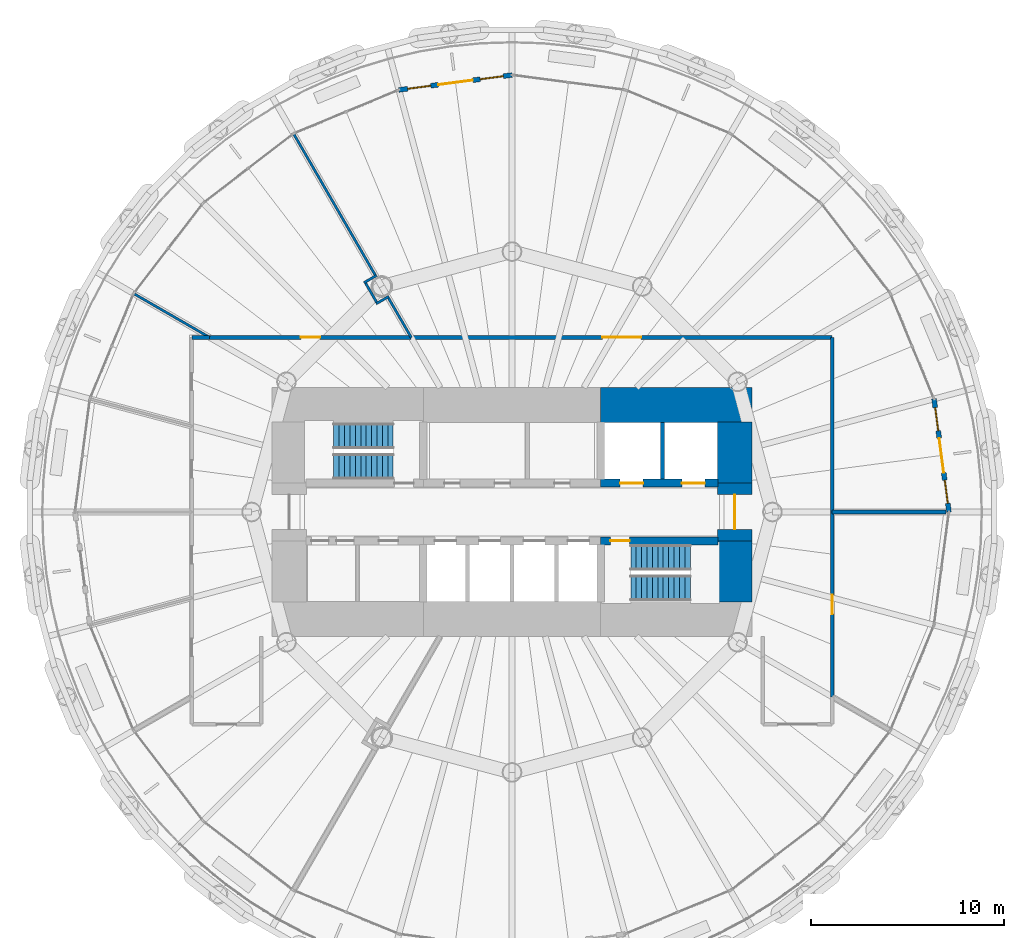
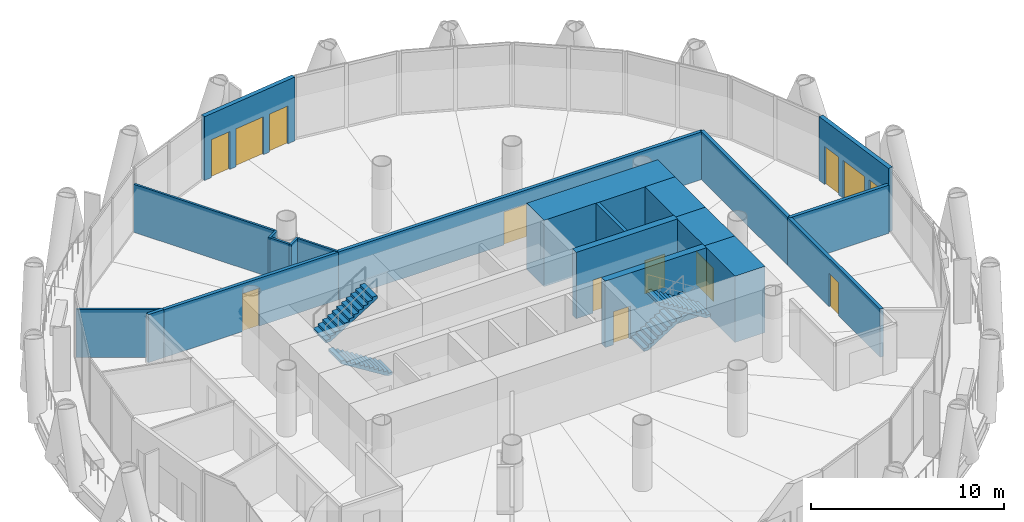
# One storey, part 11 of 15: 21 walls, 9 doors, 4 stair flights, 4 windows, 13 openings, 2 elements without a shape of their own.
"""IFC4 building model written with IfcOpenShell, lengths in metres."""

from ifc_helpers import new_model, si_unit, direction, frame, frame_2d, origin, place, context, subcontext, project, spatial, polyline, rectangle, outline, extrude, material, layer, layer_set, type_object, element, fill, aggregate, save


model = new_model("IFC4")

# Units and contexts
model_context = context("Model", 3, precision=1e-05, world=origin(), true_north=direction((0.0, 1.0)))
body_context = subcontext(model_context, "Body", "Model", "MODEL_VIEW")
ifc_project = project(units=[si_unit("LENGTHUNIT", "METRE"), si_unit("AREAUNIT", "SQUARE_METRE"), si_unit("VOLUMEUNIT", "CUBIC_METRE"), si_unit("PLANEANGLEUNIT", "RADIAN"), si_unit("MASSUNIT", "GRAM", prefix="KILO")], contexts=[model_context])

# Site, building, storey
site_placement = place(None, origin())
site = spatial("IfcSite", under=ifc_project, at=site_placement, CompositionType="ELEMENT")
building_placement = place(site_placement, origin())
building = spatial("IfcBuilding", under=site, at=building_placement, Name="Qaws Media Tower", CompositionType="ELEMENT")
storey_placement = place(building_placement, frame((0.0, 0.0, 131.0)))
storey = spatial("IfcBuildingStorey", under=building, at=storey_placement, Name="L29", CompositionType="ELEMENT", Elevation=131.0)

# Wall, openings, door, windows
ifc_material_1 = material(Name="Precast concrete, exposed finish", Category="concrete")
ifc_layer_1 = layer(ifc_material_1, 0.25)
ifc_layer_set_1 = layer_set([ifc_layer_1], Name="Balcony door wall 250")
wall_type_1 = type_object("IfcWallType", Name="Balcony door wall 250", PredefinedType="SOLIDWALL", material=ifc_layer_set_1)
wall_1_placement = place(storey_placement, frame((82.64990234375, 50.0, 0.0), z_axis=(0.0, 0.0, 1.0), x_axis=(-0.130516460787, 0.991446142493, 0.0)))
wall_1 = element("IfcWall", 1, at=wall_1_placement, inside=storey, type_object=wall_type_1, Name="W185 EW1 balcony door wall L29-01", PredefinedType="SOLIDWALL", context=body_context, shape_type="SweptSolid", body=[
    extrude(rectangle(XDim=5.912841796875, YDim=0.25, at=frame_2d((2.95654296875, 0.0))), origin(), (0.0, 0.0, 1.0), 4.0400390625),
])
opening_1_placement = place(wall_1_placement, frame((2.056396484375, 0.0, 0.0)))
opening_1 = element("IfcOpeningElement", 2, at=opening_1_placement, cuts=wall_1, Name="Opening D7", PredefinedType="OPENING", context=body_context, shape_type="SweptSolid", body=[
    extrude(rectangle(XDim=1.800048828125, YDim=2.39990234375, at=frame_2d((0.89990234375, 1.199951171875))), frame((0.0, 0.135009765625, 0.0), z_axis=(0.0, -1.0, 0.0), x_axis=(1.0, 0.0, 0.0)), (0.0, 0.0, 1.0), 0.27001953125),
])
opening_2_placement = place(wall_1_placement, frame((0.456298828125, 0.0, 0.0)))
opening_2 = element("IfcOpeningElement", 3, at=opening_2_placement, cuts=wall_1, Name="Opening W1", PredefinedType="OPENING", context=body_context, shape_type="SweptSolid", body=[
    extrude(rectangle(XDim=1.199951171875, YDim=2.39990234375, at=frame_2d((0.60009765625, 1.199951171875))), frame((0.0, 0.135009765625, 0.0), z_axis=(0.0, -1.0, 0.0), x_axis=(1.0, 0.0, 0.0)), (0.0, 0.0, 1.0), 0.27001953125),
])
opening_3_placement = place(wall_1_placement, frame((4.25634765625, 0.0, 0.0)))
opening_3 = element("IfcOpeningElement", 4, at=opening_3_placement, cuts=wall_1, Name="Opening W1", PredefinedType="OPENING", context=body_context, shape_type="SweptSolid", body=[
    extrude(rectangle(XDim=1.199951171875, YDim=2.39990234375, at=frame_2d((0.60009765625, 1.199951171875))), frame((0.0, 0.135009765625, 0.0), z_axis=(0.0, -1.0, 0.0), x_axis=(1.0, 0.0, 0.0)), (0.0, 0.0, 1.0), 0.27001953125),
])
ifc_material_2 = material(Name="Aluminium and clear glass", Category="aluminium")
door_type_1 = type_object("IfcDoorType", Name="Balcony door pair 1800", OperationType="DOUBLE_DOOR_SLIDING", PredefinedType="DOOR", material=ifc_material_2)
door_1_placement = place(opening_1_placement, origin())
door_1 = element("IfcDoor", 5, at=door_1_placement, inside=storey, type_object=door_type_1, Name="D7 balcony door L29-01 in wall W185", OperationType="DOUBLE_DOOR_SLIDING", OverallHeight=2.39990234375, OverallWidth=1.800048828125, PredefinedType="DOOR", context=body_context, shape_type="SweptSolid", body=[
    extrude(rectangle(XDim=1.800048828125, YDim=2.39990234375, at=frame_2d((0.89990234375, 1.199951171875))), frame((0.0, 0.02490234375, 0.0), z_axis=(0.0, -1.0, 0.0), x_axis=(1.0, 0.0, 0.0)), (0.0, 0.0, 1.0), 0.050048828125),
])
fill(opening_1, door_1)
ifc_material_3 = material(Name="Aluminium and clear glass", Category="aluminium")
window_type = type_object("IfcWindowType", Name="Balcony side window 1200", PartitioningType="SINGLE_PANEL", PredefinedType="WINDOW", material=ifc_material_3)
window_1_placement = place(opening_2_placement, origin())
window_1 = element("IfcWindow", 6, at=window_1_placement, inside=storey, type_object=window_type, Name="W1 balcony side light L29-01L", OverallHeight=2.39990234375, OverallWidth=1.199951171875, PartitioningType="SINGLE_PANEL", PredefinedType="WINDOW", context=body_context, shape_type="SweptSolid", body=[
    extrude(rectangle(XDim=1.199951171875, YDim=2.39990234375, at=frame_2d((0.60009765625, 1.199951171875))), frame((0.0, 0.030029296875, 0.0), z_axis=(0.0, -1.0, 0.0), x_axis=(1.0, 0.0, 0.0)), (0.0, 0.0, 1.0), 0.06005859375),
])
fill(opening_2, window_1)
window_2_placement = place(opening_3_placement, origin())
window_2 = element("IfcWindow", 7, at=window_2_placement, inside=storey, type_object=window_type, Name="W1 balcony side light L29-01R", OverallHeight=2.39990234375, OverallWidth=1.199951171875, PartitioningType="SINGLE_PANEL", PredefinedType="WINDOW", context=body_context, shape_type="SweptSolid", body=[
    extrude(rectangle(XDim=1.199951171875, YDim=2.39990234375, at=frame_2d((0.60009765625, 1.199951171875))), frame((0.0, 0.030029296875, 0.0), z_axis=(0.0, -1.0, 0.0), x_axis=(1.0, 0.0, 0.0)), (0.0, 0.0, 1.0), 0.06005859375),
])
fill(opening_3, window_2)

wall_2_placement = place(storey_placement, frame((60.0, 72.64990234375, 0.0), z_axis=(0.0, 0.0, 1.0), x_axis=(-0.991446142493, -0.130516460787, 0.0)))
wall_2 = element("IfcWall", 8, at=wall_2_placement, inside=storey, type_object=wall_type_1, Name="W184 EW1 balcony door wall L29-07", PredefinedType="SOLIDWALL", context=body_context, shape_type="SweptSolid", body=[
    extrude(rectangle(XDim=5.912841796875, YDim=0.25, at=frame_2d((2.95654296875, 0.0))), origin(), (0.0, 0.0, 1.0), 4.0400390625),
])
opening_4_placement = place(wall_2_placement, frame((2.056396484375, 0.0, 0.0)))
opening_4 = element("IfcOpeningElement", 9, at=opening_4_placement, cuts=wall_2, Name="Opening D7", PredefinedType="OPENING", context=body_context, shape_type="SweptSolid", body=[
    extrude(rectangle(XDim=1.800048828125, YDim=2.39990234375, at=frame_2d((0.89990234375, 1.199951171875))), frame((0.0, 0.135009765625, 0.0), z_axis=(0.0, -1.0, 0.0), x_axis=(1.0, 0.0, 0.0)), (0.0, 0.0, 1.0), 0.27001953125),
])
opening_5_placement = place(wall_2_placement, frame((0.456298828125, 0.0, 0.0)))
opening_5 = element("IfcOpeningElement", 10, at=opening_5_placement, cuts=wall_2, Name="Opening W1", PredefinedType="OPENING", context=body_context, shape_type="SweptSolid", body=[
    extrude(rectangle(XDim=1.199951171875, YDim=2.39990234375, at=frame_2d((0.60009765625, 1.199951171875))), frame((0.0, 0.135009765625, 0.0), z_axis=(0.0, -1.0, 0.0), x_axis=(1.0, 0.0, 0.0)), (0.0, 0.0, 1.0), 0.27001953125),
])
opening_6_placement = place(wall_2_placement, frame((4.25634765625, 0.0, 0.0)))
opening_6 = element("IfcOpeningElement", 11, at=opening_6_placement, cuts=wall_2, Name="Opening W1", PredefinedType="OPENING", context=body_context, shape_type="SweptSolid", body=[
    extrude(rectangle(XDim=1.199951171875, YDim=2.39990234375, at=frame_2d((0.60009765625, 1.199951171875))), frame((0.0, 0.135009765625, 0.0), z_axis=(0.0, -1.0, 0.0), x_axis=(1.0, 0.0, 0.0)), (0.0, 0.0, 1.0), 0.27001953125),
])
door_2_placement = place(opening_4_placement, origin())
door_2 = element("IfcDoor", 12, at=door_2_placement, inside=storey, type_object=door_type_1, Name="D7 balcony door L29-07 in wall W184", OperationType="DOUBLE_DOOR_SLIDING", OverallHeight=2.39990234375, OverallWidth=1.800048828125, PredefinedType="DOOR", context=body_context, shape_type="SweptSolid", body=[
    extrude(rectangle(XDim=1.800048828125, YDim=2.39990234375, at=frame_2d((0.89990234375, 1.199951171875))), frame((0.0, 0.02490234375, 0.0), z_axis=(0.0, -1.0, 0.0), x_axis=(1.0, 0.0, 0.0)), (0.0, 0.0, 1.0), 0.050048828125),
])
fill(opening_4, door_2)
window_3_placement = place(opening_5_placement, origin())
window_3 = element("IfcWindow", 13, at=window_3_placement, inside=storey, type_object=window_type, Name="W1 balcony side light L29-07L", OverallHeight=2.39990234375, OverallWidth=1.199951171875, PartitioningType="SINGLE_PANEL", PredefinedType="WINDOW", context=body_context, shape_type="SweptSolid", body=[
    extrude(rectangle(XDim=1.199951171875, YDim=2.39990234375, at=frame_2d((0.60009765625, 1.199951171875))), frame((0.0, 0.030029296875, 0.0), z_axis=(0.0, -1.0, 0.0), x_axis=(1.0, 0.0, 0.0)), (0.0, 0.0, 1.0), 0.06005859375),
])
fill(opening_5, window_3)
window_4_placement = place(opening_6_placement, origin())
window_4 = element("IfcWindow", 14, at=window_4_placement, inside=storey, type_object=window_type, Name="W1 balcony side light L29-07R", OverallHeight=2.39990234375, OverallWidth=1.199951171875, PartitioningType="SINGLE_PANEL", PredefinedType="WINDOW", context=body_context, shape_type="SweptSolid", body=[
    extrude(rectangle(XDim=1.199951171875, YDim=2.39990234375, at=frame_2d((0.60009765625, 1.199951171875))), frame((0.0, 0.030029296875, 0.0), z_axis=(0.0, -1.0, 0.0), x_axis=(1.0, 0.0, 0.0)), (0.0, 0.0, 1.0), 0.06005859375),
])
fill(opening_6, window_4)

# Wall, openings, doors
ifc_material_4 = material(Name="Concrete C60/75", Category="concrete")
ifc_layer_2 = layer(ifc_material_4, 0.39990234375)
ifc_layer_set_2 = layer_set([ifc_layer_2], Name="Core inner wall 400")
wall_type_2 = type_object("IfcWallType", Name="Core inner wall 400", PredefinedType="SHEAR", material=ifc_layer_set_2)
wall_3_placement = place(storey_placement, frame((64.60009765625, 51.5, 0.0), z_axis=(0.0, 0.0, 1.0), x_axis=(1.0, 0.0, 0.0)))
wall_3 = element("IfcWall", 15, at=wall_3_placement, inside=storey, type_object=wall_type_2, Name="W326 SW4 core wall SPNE L29", PredefinedType="SHEAR", context=body_context, shape_type="SweptSolid", body=[
    extrude(rectangle(XDim=6.06982421875, YDim=0.39990234375, at=frame_2d((3.034912109375, 0.0))), origin(), (0.0, 0.0, 1.0), 4.199951171875),
])
opening_7_placement = place(wall_3_placement, frame((1.0, 0.0, 0.0)))
opening_7 = element("IfcOpeningElement", 16, at=opening_7_placement, cuts=wall_3, Name="Opening LD2", PredefinedType="OPENING", context=body_context, shape_type="SweptSolid", body=[
    extrude(rectangle(XDim=1.199951171875, YDim=2.10009765625, at=frame_2d((0.60009765625, 1.050048828125))), frame((0.0, 0.2099609375, 0.0), z_axis=(0.0, -1.0, 0.0), x_axis=(1.0, 0.0, 0.0)), (0.0, 0.0, 1.0), 0.419921875),
])
opening_8_placement = place(wall_3_placement, frame((4.199951171875, 0.0, 0.0)))
opening_8 = element("IfcOpeningElement", 17, at=opening_8_placement, cuts=wall_3, Name="Opening LD2", PredefinedType="OPENING", context=body_context, shape_type="SweptSolid", body=[
    extrude(rectangle(XDim=1.199951171875, YDim=2.10009765625, at=frame_2d((0.60009765625, 1.050048828125))), frame((0.0, 0.2099609375, 0.0), z_axis=(0.0, -1.0, 0.0), x_axis=(1.0, 0.0, 0.0)), (0.0, 0.0, 1.0), 0.419921875),
])
ifc_material_5 = material(Name="Steel, fire rated", Category="steel")
door_type_2 = type_object("IfcDoorType", Name="Lift landing door 1200", OperationType="SLIDING_TO_LEFT", PredefinedType="DOOR", material=ifc_material_5)
door_3_placement = place(opening_7_placement, origin())
door_3 = element("IfcDoor", 18, at=door_3_placement, inside=storey, type_object=door_type_2, Name="FL1 landing door L29 in wall W326", OperationType="SLIDING_TO_LEFT", OverallHeight=2.10009765625, OverallWidth=1.199951171875, PredefinedType="DOOR", context=body_context, shape_type="SweptSolid", body=[
    extrude(rectangle(XDim=1.199951171875, YDim=2.10009765625, at=frame_2d((0.60009765625, 1.050048828125))), frame((0.0, 0.02490234375, 0.0), z_axis=(0.0, -1.0, 0.0), x_axis=(1.0, 0.0, 0.0)), (0.0, 0.0, 1.0), 0.050048828125),
])
fill(opening_7, door_3)
door_4_placement = place(opening_8_placement, origin())
door_4 = element("IfcDoor", 19, at=door_4_placement, inside=storey, type_object=door_type_2, Name="FL2 landing door L29 in wall W326", OperationType="SLIDING_TO_LEFT", OverallHeight=2.10009765625, OverallWidth=1.199951171875, PredefinedType="DOOR", context=body_context, shape_type="SweptSolid", body=[
    extrude(rectangle(XDim=1.199951171875, YDim=2.10009765625, at=frame_2d((0.60009765625, 1.050048828125))), frame((0.0, 0.02490234375, 0.0), z_axis=(0.0, -1.0, 0.0), x_axis=(1.0, 0.0, 0.0)), (0.0, 0.0, 1.0), 0.050048828125),
])
fill(opening_8, door_4)

# Wall, opening, door
wall_4_placement = place(storey_placement, frame((64.60009765625, 48.5, 0.0), z_axis=(0.0, 0.0, 1.0), x_axis=(1.0, 0.0, 0.0)))
wall_4 = element("IfcWall", 20, at=wall_4_placement, inside=storey, type_object=wall_type_2, Name="W325 SW4 core wall SPSE L29", PredefinedType="SHEAR", context=body_context, shape_type="SweptSolid", body=[
    extrude(rectangle(XDim=6.06982421875, YDim=0.39990234375, at=frame_2d((3.034912109375, 0.0))), origin(), (0.0, 0.0, 1.0), 4.199951171875),
])
opening_9_placement = place(wall_4_placement, frame((0.5, 0.0, 0.0)))
opening_9 = element("IfcOpeningElement", 21, at=opening_9_placement, cuts=wall_4, Name="Opening D1", PredefinedType="OPENING", context=body_context, shape_type="SweptSolid", body=[
    extrude(rectangle(XDim=1.0, YDim=2.10009765625, at=frame_2d((0.5, 1.050048828125))), frame((0.0, 0.2099609375, 0.0), z_axis=(0.0, -1.0, 0.0), x_axis=(1.0, 0.0, 0.0)), (0.0, 0.0, 1.0), 0.419921875),
])
ifc_material_6 = material(Name="Steel, fire rated", Category="steel")
door_type_3 = type_object("IfcDoorType", Name="Stair door 1000 FD120", OperationType="SINGLE_SWING_LEFT", PredefinedType="DOOR", material=ifc_material_6)
door_5_placement = place(opening_9_placement, origin())
door_5 = element("IfcDoor", 22, at=door_5_placement, inside=storey, type_object=door_type_3, Name="D1 stair S2 door L29 in wall W325", OperationType="SINGLE_SWING_LEFT", OverallHeight=2.10009765625, OverallWidth=1.0, PredefinedType="DOOR", context=body_context, shape_type="SweptSolid", body=[
    extrude(rectangle(XDim=1.0, YDim=2.10009765625, at=frame_2d((0.5, 1.050048828125))), frame((0.0, 0.02490234375, 0.0), z_axis=(0.0, -1.0, 0.0), x_axis=(1.0, 0.0, 0.0)), (0.0, 0.0, 1.0), 0.050048828125),
])
fill(opening_9, door_5)

# Walls
ifc_material_7 = material(Name="Concrete C60/75", Category="concrete")
ifc_layer_3 = layer(ifc_material_7, 1.800048828125)
ifc_layer_set_3 = layer_set([ifc_layer_3], Name="Core wall 1800")
wall_type_3 = type_object("IfcWallType", Name="Core wall 1800", PredefinedType="SHEAR", material=ifc_layer_set_3)
wall_5_placement = place(storey_placement, frame((64.60009765625, 55.550048828125, 0.0), z_axis=(0.0, 0.0, 1.0), x_axis=(1.0, 0.0, 0.0)))
element("IfcWall", 23, at=wall_5_placement, inside=storey, type_object=wall_type_3, Name="W423 SW11 core wall NE L29", PredefinedType="SHEAR", context=body_context, shape_type="SweptSolid", body=[
    extrude(rectangle(XDim=7.849853515625, YDim=1.800048828125, at=frame_2d((3.9248046875, 0.0))), origin(), (0.0, 0.0, 1.0), 4.199951171875),
])
wall_6_placement = place(storey_placement, frame((71.550048828125, 45.330078125, 0.0), z_axis=(0.0, 0.0, 1.0), x_axis=(0.0, 1.0, 0.0)))
element("IfcWall", 24, at=wall_6_placement, inside=storey, type_object=wall_type_3, Name="W424 SW11 core wall ES L29", PredefinedType="SHEAR", context=body_context, shape_type="SweptSolid", body=[
    extrude(rectangle(XDim=3.169921875, YDim=1.800048828125, at=frame_2d((1.5849609375, 0.0))), origin(), (0.0, 0.0, 1.0), 4.199951171875),
])

# Wall, opening, door
wall_7_placement = place(storey_placement, frame((71.550048828125, 48.5, 0.0), z_axis=(0.0, 0.0, 1.0), x_axis=(0.0, 1.0, 0.0)))
wall_7 = element("IfcWall", 25, at=wall_7_placement, inside=storey, type_object=wall_type_3, Name="W427 SW11 core wall E L29", PredefinedType="SHEAR", context=body_context, shape_type="SweptSolid", body=[
    extrude(rectangle(XDim=3.0, YDim=1.800048828125, at=frame_2d((1.5, 0.0))), origin(), (0.0, 0.0, 1.0), 4.199951171875),
])
opening_10_placement = place(wall_7_placement, frame((0.60009765625, 0.0, 0.0)))
opening_10 = element("IfcOpeningElement", 26, at=opening_10_placement, cuts=wall_7, Name="Opening D2", PredefinedType="OPENING", context=body_context, shape_type="SweptSolid", body=[
    extrude(rectangle(XDim=1.800048828125, YDim=2.10009765625, at=frame_2d((0.89990234375, 1.050048828125))), frame((0.0, 0.909912109375, 0.0), z_axis=(0.0, -1.0, 0.0), x_axis=(1.0, 0.0, 0.0)), (0.0, 0.0, 1.0), 1.820068359375),
])
ifc_material_8 = material(Name="Steel and glass, fire rated", Category="steel")
door_type_4 = type_object("IfcDoorType", Name="Lobby door pair 1800 FD60", OperationType="DOUBLE_DOOR_DOUBLE_SWING", PredefinedType="DOOR", material=ifc_material_8)
door_6_placement = place(opening_10_placement, origin())
door_6 = element("IfcDoor", 27, at=door_6_placement, inside=storey, type_object=door_type_4, Name="D2 core lobby door E L29 in wall W427", OperationType="DOUBLE_DOOR_DOUBLE_SWING", OverallHeight=2.10009765625, OverallWidth=1.800048828125, PredefinedType="DOOR", context=body_context, shape_type="SweptSolid", body=[
    extrude(rectangle(XDim=1.800048828125, YDim=2.10009765625, at=frame_2d((0.89990234375, 1.050048828125))), frame((0.0, 0.02490234375, 0.0), z_axis=(0.0, -1.0, 0.0), x_axis=(1.0, 0.0, 0.0)), (0.0, 0.0, 1.0), 0.050048828125),
])
fill(opening_10, door_6)

# Walls
wall_8_placement = place(storey_placement, frame((71.550048828125, 51.5, 0.0), z_axis=(0.0, 0.0, 1.0), x_axis=(0.0, 1.0, 0.0)))
element("IfcWall", 28, at=wall_8_placement, inside=storey, type_object=wall_type_3, Name="W425 SW11 core wall EN L29", PredefinedType="SHEAR", context=body_context, shape_type="SweptSolid", body=[
    extrude(rectangle(XDim=3.169921875, YDim=1.800048828125, at=frame_2d((1.5849609375, 0.0))), origin(), (0.0, 0.0, 1.0), 4.199951171875),
])
ifc_material_9 = material(Name="Two layers gypsum board each side on 75 studs, insulated", Category="gypsum")
ifc_layer_4 = layer(ifc_material_9, 0.125)
ifc_layer_set_4 = layer_set([ifc_layer_4], Name="Meeting room partition 125 Rw 48")
wall_type_4 = type_object("IfcWallType", Name="Meeting room partition 125 Rw 48", PredefinedType="PARTITIONING", material=ifc_layer_set_4)
for number, where, z_axis, x_axis, name in (
    (29, (53.619384765625, 61.176513671875, 0.0), (0.0, 0.0, 1.0), (-0.866036909293, -0.499980071345, 0.0), "W544 IW5 partition return L29"),
    (30, (52.989013671875, 62.2685546875, 0.0), (0.0, 0.0, 1.0), (-0.866174967129, -0.499740859165, 0.0), "W543 IW5 partition return L29"),
):
    element("IfcWall", number, at=place(storey_placement, frame(where, z_axis=z_axis, x_axis=x_axis)), inside=storey, type_object=wall_type_4, Name=name, PredefinedType="PARTITIONING", context=body_context, shape_type="SweptSolid", body=[
        extrude(rectangle(XDim=0.765625, YDim=0.125, at=frame_2d((0.3828125, 0.0))), origin(), (0.0, 0.0, 1.0), 3.02001953125),
    ])
wall_9_placement = place(storey_placement, frame((52.979248046875, 60.879150390625, 0.0), z_axis=(0.0, 0.0, 1.0), x_axis=(-0.499883687939, 0.866092546171, 0.0)))
element("IfcWall", 31, at=wall_9_placement, inside=storey, type_object=wall_type_4, Name="W542 IW5 partition return L29", PredefinedType="PARTITIONING", context=body_context, shape_type="SweptSolid", body=[
    extrude(rectangle(XDim=1.135986328125, YDim=0.125, at=frame_2d((0.56787109375, 0.0))), origin(), (0.0, 0.0, 1.0), 3.02001953125),
])
wall_10_placement = place(storey_placement, frame((54.780029296875, 59.041259765625, 0.0), z_axis=(0.0, 0.0, 1.0), x_axis=(-0.499999210213, 0.866025859768, 0.0)))
element("IfcWall", 32, at=wall_10_placement, inside=storey, type_object=wall_type_4, Name="W545 IW5 partition L29", PredefinedType="PARTITIONING", context=body_context, shape_type="SweptSolid", body=[
    extrude(rectangle(XDim=2.3671875, YDim=0.125, at=frame_2d((1.18359375, 0.0))), origin(), (0.0, 0.0, 1.0), 3.0400390625),
])
wall_11_placement = place(storey_placement, frame((52.903564453125, 62.29150390625, 0.0), z_axis=(0.0, 0.0, 1.0), x_axis=(-0.500001153257, 0.86602473795, 0.0)))
element("IfcWall", 33, at=wall_11_placement, inside=storey, type_object=wall_type_4, Name="W549 IW5 partition L29", PredefinedType="PARTITIONING", context=body_context, shape_type="SweptSolid", body=[
    extrude(rectangle(XDim=8.4169921875, YDim=0.125, at=frame_2d((4.20849609375, 0.0))), origin(), (0.0, 0.0, 1.0), 3.0400390625),
])
wall_12_placement = place(storey_placement, frame((44.324951171875, 59.050048828125, 0.0), z_axis=(0.0, 0.0, 1.0), x_axis=(-0.86603594269, 0.499981745636, 0.0)))
element("IfcWall", 34, at=wall_12_placement, inside=storey, type_object=wall_type_4, Name="W548 IW5 partition L29", PredefinedType="PARTITIONING", context=body_context, shape_type="SweptSolid", body=[
    extrude(rectangle(XDim=4.510009765625, YDim=0.125, at=frame_2d((2.2548828125, 0.0))), origin(), (0.0, 0.0, 1.0), 3.0400390625),
])
ifc_material_10 = material(Name="Gypsum board on galvanised metal studs, acoustic double stud, deflection head", Category="gypsum")
ifc_layer_5 = layer(ifc_material_10, 0.199951171875)
ifc_layer_set_5 = layer_set([ifc_layer_5], Name="Room partition 200")
wall_type_5 = type_object("IfcWallType", Name="Room partition 200", PredefinedType="PARTITIONING", material=ifc_layer_set_5)
wall_13_placement = place(storey_placement, frame((43.39990234375, 59.050048828125, 0.0), z_axis=(0.0, 0.0, 1.0), x_axis=(1.0, 0.0, 0.0)))
element("IfcWall", 35, at=wall_13_placement, inside=storey, type_object=wall_type_5, Name="W1250 IW3 partition L29", PredefinedType="PARTITIONING", context=body_context, shape_type="SweptSolid", body=[
    extrude(rectangle(XDim=0.925048828125, YDim=0.199951171875, at=frame_2d((0.46240234375, 0.0))), origin(), (0.0, 0.0, 1.0), 3.0400390625),
])

# Wall, opening, door
wall_14_placement = place(storey_placement, frame((44.324951171875, 59.050048828125, 0.0), z_axis=(0.0, 0.0, 1.0), x_axis=(1.0, 0.0, 0.0)))
wall_14 = element("IfcWall", 36, at=wall_14_placement, inside=storey, type_object=wall_type_5, Name="W1252 IW3 partition L29", PredefinedType="PARTITIONING", context=body_context, shape_type="SweptSolid", body=[
    extrude(rectangle(XDim=10.449951171875, YDim=0.199951171875, at=frame_2d((5.22509765625, 0.0))), origin(), (0.0, 0.0, 1.0), 3.02001953125),
])
opening_11_placement = place(wall_14_placement, frame((4.72509765625, 0.0, 0.0)))
opening_11 = element("IfcOpeningElement", 37, at=opening_11_placement, cuts=wall_14, Name="Opening D13", PredefinedType="OPENING", context=body_context, shape_type="SweptSolid", body=[
    extrude(rectangle(XDim=1.0, YDim=2.39990234375, at=frame_2d((0.5, 1.199951171875))), frame((0.0, 0.10986328125, 0.0), z_axis=(0.0, -1.0, 0.0), x_axis=(1.0, 0.0, 0.0)), (0.0, 0.0, 1.0), 0.219970703125),
])
ifc_material_11 = material(Name="Frameless toughened glass, acoustic seals", Category="glass")
door_type_5 = type_object("IfcDoorType", Name="Glazed meeting room door 1000x2400", OperationType="SINGLE_SWING_LEFT", PredefinedType="DOOR", material=ifc_material_11)
door_7_placement = place(opening_11_placement, origin())
door_7 = element("IfcDoor", 38, at=door_7_placement, inside=storey, type_object=door_type_5, Name="D13 Meeting room door L29 in wall W1252", OperationType="SINGLE_SWING_LEFT", OverallHeight=2.39990234375, OverallWidth=1.0, PredefinedType="DOOR", context=body_context, shape_type="SweptSolid", body=[
    extrude(rectangle(XDim=1.0, YDim=2.39990234375, at=frame_2d((0.5, 1.199951171875))), frame((0.0, 0.02490234375, 0.0), z_axis=(0.0, -1.0, 0.0), x_axis=(1.0, 0.0, 0.0)), (0.0, 0.0, 1.0), 0.050048828125),
])
fill(opening_11, door_7)

wall_15_placement = place(storey_placement, frame((54.77490234375, 59.050048828125, 0.0), z_axis=(0.0, 0.0, 1.0), x_axis=(1.0, 0.0, 0.0)))
wall_15 = element("IfcWall", 39, at=wall_15_placement, inside=storey, type_object=wall_type_5, Name="W1258 IW3 partition L29", PredefinedType="PARTITIONING", context=body_context, shape_type="SweptSolid", body=[
    extrude(rectangle(XDim=21.8251953125, YDim=0.199951171875, at=frame_2d((10.91259765625, 0.0))), origin(), (0.0, 0.0, 1.0), 3.02001953125),
])
opening_12_placement = place(wall_15_placement, frame((9.91259765625, 0.0, 0.0)))
opening_12 = element("IfcOpeningElement", 40, at=opening_12_placement, cuts=wall_15, Name="Opening D6", PredefinedType="OPENING", context=body_context, shape_type="SweptSolid", body=[
    extrude(rectangle(XDim=2.0, YDim=2.10009765625, at=frame_2d((1.0, 1.050048828125))), frame((0.0, 0.10986328125, 0.0), z_axis=(0.0, -1.0, 0.0), x_axis=(1.0, 0.0, 0.0)), (0.0, 0.0, 1.0), 0.219970703125),
])
ifc_material_12 = material(Name="Steel, acoustic, fire rated", Category="steel")
door_type_6 = type_object("IfcDoorType", Name="Room door pair 2000", OperationType="DOUBLE_DOOR_DOUBLE_SWING", PredefinedType="DOOR", material=ifc_material_12)
door_8_placement = place(opening_12_placement, origin())
door_8 = element("IfcDoor", 41, at=door_8_placement, inside=storey, type_object=door_type_6, Name="D6 Finance office door L29 in wall W1258", OperationType="DOUBLE_DOOR_DOUBLE_SWING", OverallHeight=2.10009765625, OverallWidth=2.0, PredefinedType="DOOR", context=body_context, shape_type="SweptSolid", body=[
    extrude(rectangle(XDim=2.0, YDim=2.10009765625, at=frame_2d((1.0, 1.050048828125))), frame((0.0, 0.02490234375, 0.0), z_axis=(0.0, -1.0, 0.0), x_axis=(1.0, 0.0, 0.0)), (0.0, 0.0, 1.0), 0.050048828125),
])
fill(opening_12, door_8)

# Wall
wall_16_placement = place(storey_placement, frame((76.60009765625, 59.050048828125, 0.0), z_axis=(0.0, 0.0, 1.0), x_axis=(0.0, -1.0, 0.0)))
element("IfcWall", 42, at=wall_16_placement, inside=storey, type_object=wall_type_5, Name="W1266 IW3 partition L29", PredefinedType="PARTITIONING", context=body_context, shape_type="SweptSolid", body=[
    extrude(rectangle(XDim=9.050048828125, YDim=0.199951171875, at=frame_2d((4.52490234375, 0.0))), origin(), (0.0, 0.0, 1.0), 3.0400390625),
])

# Wall, opening, door
wall_17_placement = place(storey_placement, frame((76.60009765625, 50.0, 0.0), z_axis=(0.0, 0.0, 1.0), x_axis=(0.0, -1.0, 0.0)))
wall_17 = element("IfcWall", 43, at=wall_17_placement, inside=storey, type_object=wall_type_5, Name="W1264 IW3 partition L29", PredefinedType="PARTITIONING", context=body_context, shape_type="SweptSolid", body=[
    extrude(rectangle(XDim=9.583984375, YDim=0.199951171875, at=frame_2d((4.7919921875, 0.0))), origin(), (0.0, 0.0, 1.0), 3.0400390625),
])
opening_13_placement = place(wall_17_placement, frame((4.2919921875, 0.0, 0.0)))
opening_13 = element("IfcOpeningElement", 44, at=opening_13_placement, cuts=wall_17, Name="Opening D5", PredefinedType="OPENING", context=body_context, shape_type="SweptSolid", body=[
    extrude(rectangle(XDim=1.0, YDim=2.10009765625, at=frame_2d((0.5, 1.050048828125))), frame((0.0, 0.10986328125, 0.0), z_axis=(0.0, -1.0, 0.0), x_axis=(1.0, 0.0, 0.0)), (0.0, 0.0, 1.0), 0.219970703125),
])
ifc_material_13 = material(Name="Timber veneered, acoustic seal", Category="wood")
door_type_7 = type_object("IfcDoorType", Name="Room door 1000", OperationType="SINGLE_SWING_LEFT", PredefinedType="DOOR", material=ifc_material_13)
door_9_placement = place(opening_13_placement, origin())
door_9 = element("IfcDoor", 45, at=door_9_placement, inside=storey, type_object=door_type_7, Name="D5 Finance office door L29 in wall W1264", OperationType="SINGLE_SWING_LEFT", OverallHeight=2.10009765625, OverallWidth=1.0, PredefinedType="DOOR", context=body_context, shape_type="SweptSolid", body=[
    extrude(rectangle(XDim=1.0, YDim=2.10009765625, at=frame_2d((0.5, 1.050048828125))), frame((0.0, 0.02490234375, 0.0), z_axis=(0.0, -1.0, 0.0), x_axis=(1.0, 0.0, 0.0)), (0.0, 0.0, 1.0), 0.050048828125),
])
fill(opening_13, door_9)

# Walls
wall_18_placement = place(storey_placement, frame((76.60009765625, 50.0, 0.0), z_axis=(0.0, 0.0, 1.0), x_axis=(1.0, 0.0, 0.0)))
element("IfcWall", 46, at=wall_18_placement, inside=storey, type_object=wall_type_5, Name="W1277 IW3 partition L29", PredefinedType="PARTITIONING", context=body_context, shape_type="SweptSolid", body=[
    extrude(rectangle(XDim=5.909912109375, YDim=0.199951171875, at=frame_2d((2.955078125, 0.0))), origin(), (0.0, 0.0, 1.0), 3.0400390625),
])
ifc_material_14 = material(Name="Fire-rated gypsum board shaft wall on galvanised metal studs, deflection head", Category="gypsum")
ifc_layer_6 = layer(ifc_material_14, 0.199951171875)
ifc_layer_set_6 = layer_set([ifc_layer_6], Name="Shaft wall 200")
wall_type_6 = type_object("IfcWallType", Name="Shaft wall 200", PredefinedType="PARTITIONING", material=ifc_layer_set_6)
wall_19_placement = place(storey_placement, frame((67.800048828125, 51.699951171875, 0.0), z_axis=(0.0, 0.0, 1.0), x_axis=(0.0, 1.0, 0.0)))
element("IfcWall", 47, at=wall_19_placement, inside=storey, type_object=wall_type_6, Name="W1863 IW1 shaft wall FL L29", PredefinedType="PARTITIONING", context=body_context, shape_type="SweptSolid", body=[
    extrude(rectangle(XDim=2.949951171875, YDim=0.199951171875, at=frame_2d((1.47509765625, 0.0))), origin(), (0.0, 0.0, 1.0), 4.199951171875),
])

# Stair, stair flights
ifc_material_15 = material(Name="Concrete C40/50", Category="concrete")
stair_type = type_object("IfcStairType", Name="Exit stair", PredefinedType="HALF_TURN_STAIR", material=ifc_material_15)
stair_1_placement = place(storey_placement, origin())
stair_1 = element("IfcStair", 48, at=stair_1_placement, inside=storey, type_object=stair_type, Name="S1 exit stair L29", PredefinedType="HALF_TURN_STAIR")
ifc_material_16 = material(Name="Concrete C40/50", Category="concrete")
stair_flight_type = type_object("IfcStairFlightType", Name="Stair flight 1310", PredefinedType="STRAIGHT", material=ifc_material_16)
stair_flight_1_placement = place(storey_placement, frame((53.840087890625, 52.35498046875, 0.0), z_axis=(0.0, 0.0, 1.0), x_axis=(-1.0, 0.0, 0.0)))
stair_flight_1 = element("IfcStairFlight", 49, at=stair_flight_1_placement, type_object=stair_flight_type, Name="S1 flight 1", NumberOfRisers=12, NumberOfTreads=11, PredefinedType="STRAIGHT", RiserHeight=0.175, TreadLength=0.28, context=body_context, shape_type="SweptSolid", body=[
    extrude(outline(polyline([(0.0, 0.0), (0.0, 0.175048828125), (0.280029296875, 0.175048828125), (0.280029296875, 0.35009765625), (0.56005859375, 0.35009765625), (0.56005859375, 0.52490234375), (0.840087890625, 0.52490234375), (0.840087890625, 0.699951171875), (1.1201171875, 0.699951171875), (1.1201171875, 0.875), (1.39990234375, 0.875), (1.39990234375, 1.050048828125), (1.679931640625, 1.050048828125), (1.679931640625, 1.22509765625), (1.9599609375, 1.22509765625), (1.9599609375, 1.39990234375), (2.239990234375, 1.39990234375), (2.239990234375, 1.574951171875), (2.52001953125, 1.574951171875), (2.52001953125, 1.75), (2.800048828125, 1.75), (2.800048828125, 1.925048828125), (3.080078125, 1.925048828125), (3.080078125, 2.10009765625), (3.080078125, 1.748291015625), (0.28271484375, 0.0), (0.0, 0.0)])), frame((0.0, 0.655029296875, 0.0), z_axis=(0.0, -1.0, 0.0), x_axis=(1.0, 0.0, 0.0)), (0.0, 0.0, 1.0), 1.31005859375),
])
stair_flight_2_placement = place(storey_placement, frame((50.760009765625, 53.945068359375, 2.10009765625), z_axis=(0.0, 0.0, 1.0), x_axis=(1.0, 0.0, 0.0)))
stair_flight_2 = element("IfcStairFlight", 50, at=stair_flight_2_placement, type_object=stair_flight_type, Name="S1 flight 2", NumberOfRisers=12, NumberOfTreads=11, PredefinedType="STRAIGHT", RiserHeight=0.175, TreadLength=0.28, context=body_context, shape_type="SweptSolid", body=[
    extrude(outline(polyline([(0.0, 0.0), (0.0, 0.175048828125), (0.280029296875, 0.175048828125), (0.280029296875, 0.35009765625), (0.56005859375, 0.35009765625), (0.56005859375, 0.52490234375), (0.840087890625, 0.52490234375), (0.840087890625, 0.699951171875), (1.1201171875, 0.699951171875), (1.1201171875, 0.875), (1.39990234375, 0.875), (1.39990234375, 1.050048828125), (1.679931640625, 1.050048828125), (1.679931640625, 1.22509765625), (1.9599609375, 1.22509765625), (1.9599609375, 1.39990234375), (2.239990234375, 1.39990234375), (2.239990234375, 1.574951171875), (2.52001953125, 1.574951171875), (2.52001953125, 1.75), (2.800048828125, 1.75), (2.800048828125, 1.925048828125), (3.080078125, 1.925048828125), (3.080078125, 2.10009765625), (3.080078125, 1.748291015625), (0.28271484375, 0.0), (0.0, 0.0)])), frame((0.0, 0.655029296875, 0.0), z_axis=(0.0, -1.0, 0.0), x_axis=(1.0, 0.0, 0.0)), (0.0, 0.0, 1.0), 1.31005859375),
])
aggregate(stair_1, [stair_flight_1, stair_flight_2])

stair_2_placement = place(storey_placement, origin())
stair_2 = element("IfcStair", 51, at=stair_2_placement, inside=storey, type_object=stair_type, Name="S2 exit stair L29", PredefinedType="HALF_TURN_STAIR")
stair_flight_3_placement = place(storey_placement, frame((66.159912109375, 47.64501953125, 0.0), z_axis=(0.0, 0.0, 1.0), x_axis=(1.0, 0.0, 0.0)))
stair_flight_3 = element("IfcStairFlight", 52, at=stair_flight_3_placement, type_object=stair_flight_type, Name="S2 flight 1", NumberOfRisers=12, NumberOfTreads=11, PredefinedType="STRAIGHT", RiserHeight=0.175, TreadLength=0.28, context=body_context, shape_type="SweptSolid", body=[
    extrude(outline(polyline([(0.0, 0.0), (0.0, 0.175048828125), (0.280029296875, 0.175048828125), (0.280029296875, 0.35009765625), (0.56005859375, 0.35009765625), (0.56005859375, 0.52490234375), (0.840087890625, 0.52490234375), (0.840087890625, 0.699951171875), (1.1201171875, 0.699951171875), (1.1201171875, 0.875), (1.39990234375, 0.875), (1.39990234375, 1.050048828125), (1.679931640625, 1.050048828125), (1.679931640625, 1.22509765625), (1.9599609375, 1.22509765625), (1.9599609375, 1.39990234375), (2.239990234375, 1.39990234375), (2.239990234375, 1.574951171875), (2.52001953125, 1.574951171875), (2.52001953125, 1.75), (2.800048828125, 1.75), (2.800048828125, 1.925048828125), (3.080078125, 1.925048828125), (3.080078125, 2.10009765625), (3.080078125, 1.748291015625), (0.28271484375, 0.0), (0.0, 0.0)])), frame((0.0, 0.655029296875, 0.0), z_axis=(0.0, -1.0, 0.0), x_axis=(1.0, 0.0, 0.0)), (0.0, 0.0, 1.0), 1.31005859375),
])
stair_flight_4_placement = place(storey_placement, frame((69.239990234375, 46.054931640625, 2.10009765625), z_axis=(0.0, 0.0, 1.0), x_axis=(-1.0, 0.0, 0.0)))
stair_flight_4 = element("IfcStairFlight", 53, at=stair_flight_4_placement, type_object=stair_flight_type, Name="S2 flight 2", NumberOfRisers=12, NumberOfTreads=11, PredefinedType="STRAIGHT", RiserHeight=0.175, TreadLength=0.28, context=body_context, shape_type="SweptSolid", body=[
    extrude(outline(polyline([(0.0, 0.0), (0.0, 0.175048828125), (0.280029296875, 0.175048828125), (0.280029296875, 0.35009765625), (0.56005859375, 0.35009765625), (0.56005859375, 0.52490234375), (0.840087890625, 0.52490234375), (0.840087890625, 0.699951171875), (1.1201171875, 0.699951171875), (1.1201171875, 0.875), (1.39990234375, 0.875), (1.39990234375, 1.050048828125), (1.679931640625, 1.050048828125), (1.679931640625, 1.22509765625), (1.9599609375, 1.22509765625), (1.9599609375, 1.39990234375), (2.239990234375, 1.39990234375), (2.239990234375, 1.574951171875), (2.52001953125, 1.574951171875), (2.52001953125, 1.75), (2.800048828125, 1.75), (2.800048828125, 1.925048828125), (3.080078125, 1.925048828125), (3.080078125, 2.10009765625), (3.080078125, 1.748291015625), (0.28271484375, 0.0), (0.0, 0.0)])), frame((0.0, 0.655029296875, 0.0), z_axis=(0.0, -1.0, 0.0), x_axis=(1.0, 0.0, 0.0)), (0.0, 0.0, 1.0), 1.31005859375),
])
aggregate(stair_2, [stair_flight_3, stair_flight_4])

save(model, "model.ifc")
